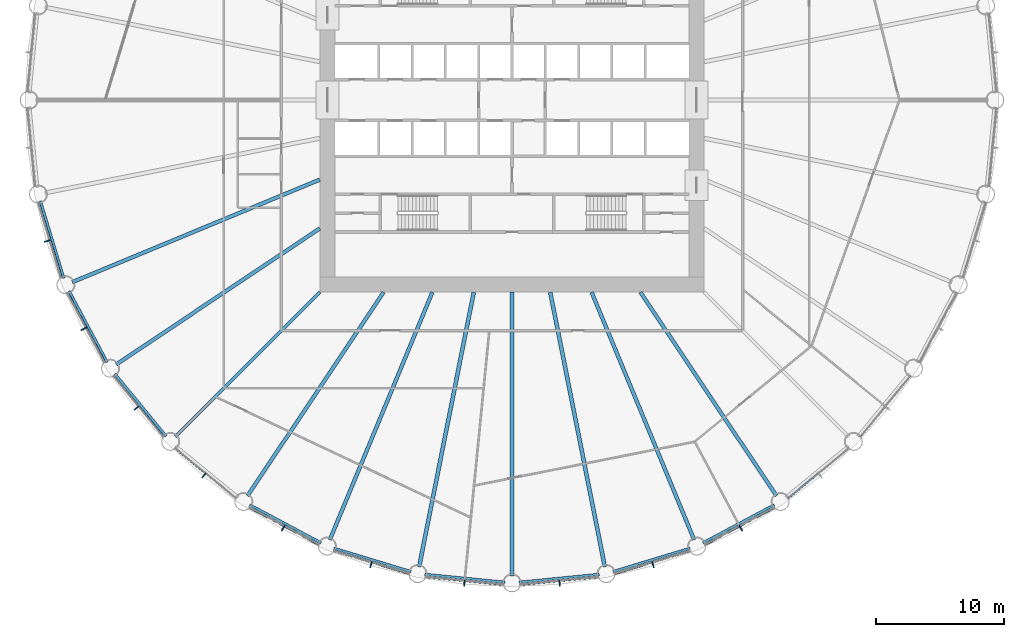
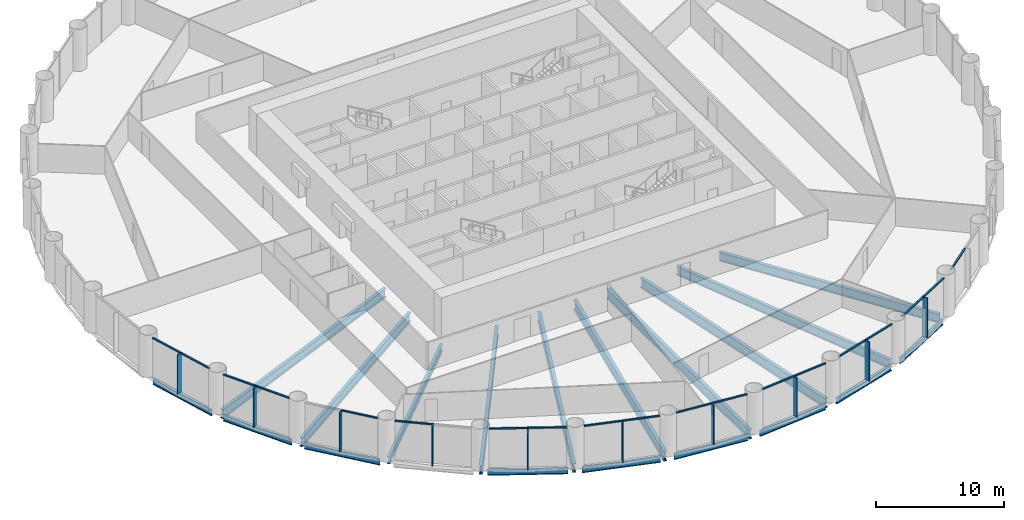
# One storey, part 2 of 14: 29 members, 19 beams, 11 elements without a shape of their own.
"""IFC4 building model written with IfcOpenShell, lengths in metres."""

from ifc_helpers import new_model, si_unit, direction, frame, origin, origin_2d, place, context, subcontext, project, spatial, rectangle, i_section, extrude, material, material_profile, profile_set, type_object, element, aggregate, save


model = new_model("IFC4")

# Units and contexts
model_context = context("Model", 3, precision=1e-05, world=origin(), true_north=direction((0.0, 1.0)))
body_context = subcontext(model_context, "Body", "Model", "MODEL_VIEW")
ifc_project = project(units=[si_unit("LENGTHUNIT", "METRE"), si_unit("AREAUNIT", "SQUARE_METRE"), si_unit("VOLUMEUNIT", "CUBIC_METRE"), si_unit("PLANEANGLEUNIT", "RADIAN"), si_unit("MASSUNIT", "GRAM", prefix="KILO")], contexts=[model_context])

# Site, building, storey
site_placement = place(None, origin())
site = spatial("IfcSite", under=ifc_project, at=site_placement, CompositionType="ELEMENT")
building_placement = place(site_placement, origin())
building = spatial("IfcBuilding", under=site, at=building_placement, Name="Corvane Civic Tower", CompositionType="ELEMENT")
storey_placement = place(building_placement, frame((0.0, 0.0, 81.0)))
storey = spatial("IfcBuildingStorey", under=building, at=storey_placement, Name="L18", CompositionType="ELEMENT", Elevation=81.0)

# Beams
ifc_material_1 = material(Name="Steel ASTM A992 Gr 50", Category="steel")
ifc_material_profile_1 = material_profile(ifc_material_1, i_section(OverallWidth=0.209228515625, OverallDepth=0.533447265625, WebThickness=0.01025390625, FlangeThickness=0.015625, at=origin_2d()), Name="W21X62")
ifc_profile_set_1 = profile_set([ifc_material_profile_1], Name="Steel ASTM A992 Gr 50")
beam_type_1 = type_object("IfcBeamType", Name="EDGE BEAM W21X62", PredefinedType="BEAM", material=ifc_profile_set_1)
for number, where, z_axis, x_axis, name in (
    (1, (20.4599609375, -31.605712890625, -0.566650390625), (-0.881916367906, -0.471405897311, 0.0), (0.471405897311, -0.881916367906, 0.0), "BM-L18-E14"),
    (2, (13.90087890625, -34.989990234375, -0.566650390625), (-0.956943740748, -0.290273452184, 0.0), (0.290273452184, -0.956943740748, 0.0), "BM-L18-E15"),
):
    element("IfcBeam", number, at=place(storey_placement, frame(where, z_axis=z_axis, x_axis=x_axis)), inside=storey, type_object=beam_type_1, Name=name, PredefinedType="BEAM", context=body_context, shape_type="SweptSolid", body=[
        extrude(i_section(OverallWidth=0.209228515625, OverallDepth=0.533447265625, WebThickness=0.01025390625, FlangeThickness=0.015625, at=origin_2d()), origin(), (0.0, 0.0, 1.0), 6.290283203125),
    ])
for number, where, z_axis, x_axis, name in (
    (3, (6.8076171875, -37.029541015625, -0.566650390625), (-0.995186682089, -0.097997284622, 0.0), (0.097997284622, -0.995186682089, 0.0), "BM-L18-E16"),
    (4, (-0.54736328125, -37.64599609375, -0.566650390625), (-0.995186682089, 0.097997284622, 0.0), (-0.097997284622, -0.995186682089, 0.0), "BM-L18-E17"),
):
    element("IfcBeam", number, at=place(storey_placement, frame(where, z_axis=z_axis, x_axis=x_axis)), inside=storey, type_object=beam_type_1, Name=name, PredefinedType="BEAM", context=body_context, shape_type="SweptSolid", body=[
        extrude(i_section(OverallWidth=0.209228515625, OverallDepth=0.533447265625, WebThickness=0.01025390625, FlangeThickness=0.015625, at=origin_2d()), origin(), (0.0, 0.0, 1.0), 6.29052734375),
    ])
for number, where, z_axis, x_axis, name in (
    (5, (-7.88134765625, -36.81591796875, -0.566650390625), (-0.956943740748, 0.290273452184, 0.0), (-0.290273452184, -0.956943740748, 0.0), "BM-L18-E18"),
    (6, (-14.912353515625, -34.571044921875, -0.566650390625), (-0.881916367906, 0.471405897311, 0.0), (-0.471405897311, -0.881916367906, 0.0), "BM-L18-E19"),
):
    element("IfcBeam", number, at=place(storey_placement, frame(where, z_axis=z_axis, x_axis=x_axis)), inside=storey, type_object=beam_type_1, Name=name, PredefinedType="BEAM", context=body_context, shape_type="SweptSolid", body=[
        extrude(i_section(OverallWidth=0.209228515625, OverallDepth=0.533447265625, WebThickness=0.01025390625, FlangeThickness=0.015625, at=origin_2d()), origin(), (0.0, 0.0, 1.0), 6.290283203125),
    ])
beam_1_placement = place(storey_placement, frame((-27.0068359375, -26.23291015625, -0.566650390625), z_axis=(-0.634386787141, 0.773015785286, 0.0), x_axis=(-0.773015785286, -0.634386787141, 0.0)))
element("IfcBeam", 7, at=beam_1_placement, inside=storey, type_object=beam_type_1, Name="BM-L18-E21", PredefinedType="BEAM", context=body_context, shape_type="SweptSolid", body=[
    extrude(i_section(OverallWidth=0.209228515625, OverallDepth=0.533447265625, WebThickness=0.01025390625, FlangeThickness=0.015625, at=origin_2d()), origin(), (0.0, 0.0, 1.0), 6.290771484375),
])
for number, where, z_axis, x_axis, name in (
    (8, (-31.605712890625, -20.4599609375, -0.566650390625), (-0.471405897311, 0.881916367906, 0.0), (-0.881916367906, -0.471405897311, 0.0), "BM-L18-E22"),
    (9, (-34.989990234375, -13.90087890625, -0.566650390625), (-0.290273452184, 0.956943740748, 0.0), (-0.956943740748, -0.290273452184, 0.0), "BM-L18-E23"),
):
    element("IfcBeam", number, at=place(storey_placement, frame(where, z_axis=z_axis, x_axis=x_axis)), inside=storey, type_object=beam_type_1, Name=name, PredefinedType="BEAM", context=body_context, shape_type="SweptSolid", body=[
        extrude(i_section(OverallWidth=0.209228515625, OverallDepth=0.533447265625, WebThickness=0.01025390625, FlangeThickness=0.015625, at=origin_2d()), origin(), (0.0, 0.0, 1.0), 6.290283203125),
    ])
ifc_material_2 = material(Name="Steel ASTM A992 Gr 50", Category="steel")
ifc_material_profile_2 = material_profile(ifc_material_2, i_section(OverallWidth=0.256591796875, OverallDepth=0.693359375, WebThickness=0.014404296875, FlangeThickness=0.023681640625, at=origin_2d()), Name="W27X114")
ifc_profile_set_2 = profile_set([ifc_material_profile_2], Name="Steel ASTM A992 Gr 50")
beam_type_2 = type_object("IfcBeamType", Name="FLOOR GIRDER W27X114", PredefinedType="BEAM", material=ifc_profile_set_2)
beam_2_placement = place(storey_placement, frame((-15.0, -15.0, -0.646728515625), z_axis=(-0.707106781187, -0.707106781187, 0.0), x_axis=(0.707106781187, -0.707106781187, 0.0)))
element("IfcBeam", 10, at=beam_2_placement, inside=storey, type_object=beam_type_2, Name="BM-L18-G21", PredefinedType="BEAM", context=body_context, shape_type="SweptSolid", body=[
    extrude(i_section(OverallWidth=0.256591796875, OverallDepth=0.693359375, WebThickness=0.014404296875, FlangeThickness=0.023681640625, at=origin_2d()), origin(), (0.0, 0.0, 1.0), 15.936767578125),
])
ifc_material_3 = material(Name="Steel ASTM A992 Gr 50", Category="steel")
ifc_material_profile_3 = material_profile(ifc_material_3, i_section(OverallWidth=0.2919921875, OverallDepth=0.8583984375, WebThickness=0.01708984375, FlangeThickness=0.031005859375, at=origin_2d()), Name="W33X169")
ifc_profile_set_3 = profile_set([ifc_material_profile_3], Name="Steel ASTM A992 Gr 50")
beam_type_3 = type_object("IfcBeamType", Name="FLOOR GIRDER W33X169", PredefinedType="BEAM", material=ifc_profile_set_3)
beam_3_placement = place(storey_placement, frame((10.022705078125, -15.0, -0.729248046875), z_axis=(0.555566681385, -0.831471985418, 0.0), x_axis=(0.831471985418, 0.555566681385, 0.0)))
element("IfcBeam", 11, at=beam_3_placement, inside=storey, type_object=beam_type_3, Name="BM-L18-G14", PredefinedType="BEAM", context=body_context, shape_type="SweptSolid", body=[
    extrude(i_section(OverallWidth=0.2919921875, OverallDepth=0.8583984375, WebThickness=0.01708984375, FlangeThickness=0.031005859375, at=origin_2d()), origin(), (0.0, 0.0, 1.0), 19.109619140625),
])
for number, where, z_axis, x_axis, name in (
    (12, (6.213134765625, -15.0, -0.729248046875), (0.382692360381, -0.923875834355, 0.0), (0.923875834355, 0.382692360381, 0.0), "BM-L18-G15"),
    (13, (-6.213134765625, -15.0, -0.729248046875), (-0.382692360381, -0.923875834355, 0.0), (0.923875834355, -0.382692360381, 0.0), "BM-L18-G19"),
):
    element("IfcBeam", number, at=place(storey_placement, frame(where, z_axis=z_axis, x_axis=x_axis)), inside=storey, type_object=beam_type_3, Name=name, PredefinedType="BEAM", context=body_context, shape_type="SweptSolid", body=[
        extrude(i_section(OverallWidth=0.2919921875, OverallDepth=0.8583984375, WebThickness=0.01708984375, FlangeThickness=0.031005859375, at=origin_2d()), origin(), (0.0, 0.0, 1.0), 20.9140625),
    ])
for number, where, z_axis, x_axis, name in (
    (14, (-10.022705078125, -15.0, -0.729248046875), (-0.555566681385, -0.831471985418, 0.0), (0.831471985418, -0.555566681385, 0.0), "BM-L18-G20"),
    (15, (-15.0, -10.022705078125, -0.729248046875), (-0.831471985418, -0.555566681385, 0.0), (0.555566681385, -0.831471985418, 0.0), "BM-L18-G22"),
):
    element("IfcBeam", number, at=place(storey_placement, frame(where, z_axis=z_axis, x_axis=x_axis)), inside=storey, type_object=beam_type_3, Name=name, PredefinedType="BEAM", context=body_context, shape_type="SweptSolid", body=[
        extrude(i_section(OverallWidth=0.2919921875, OverallDepth=0.8583984375, WebThickness=0.01708984375, FlangeThickness=0.031005859375, at=origin_2d()), origin(), (0.0, 0.0, 1.0), 19.109619140625),
    ])
beam_4_placement = place(storey_placement, frame((-15.0, -6.213134765625, -0.729248046875), z_axis=(-0.923875834355, -0.382692360381, 0.0), x_axis=(0.382692360381, -0.923875834355, 0.0)))
element("IfcBeam", 16, at=beam_4_placement, inside=storey, type_object=beam_type_3, Name="BM-L18-G23", PredefinedType="BEAM", context=body_context, shape_type="SweptSolid", body=[
    extrude(i_section(OverallWidth=0.2919921875, OverallDepth=0.8583984375, WebThickness=0.01708984375, FlangeThickness=0.031005859375, at=origin_2d()), origin(), (0.0, 0.0, 1.0), 20.9140625),
])
ifc_material_4 = material(Name="Steel ASTM A992 Gr 50", Category="steel")
ifc_material_profile_4 = material_profile(ifc_material_4, i_section(OverallWidth=0.307373046875, OverallDepth=0.927001953125, WebThickness=0.01953125, FlangeThickness=0.031982421875, at=origin_2d()), Name="W36X194")
ifc_profile_set_4 = profile_set([ifc_material_profile_4], Name="Steel ASTM A992 Gr 50")
beam_type_4 = type_object("IfcBeamType", Name="FLOOR GIRDER W36X194", PredefinedType="BEAM", material=ifc_profile_set_4)
beam_5_placement = place(storey_placement, frame((2.983642578125, -15.0, -0.763671875), z_axis=(0.195089219638, -0.980785499679, 0.0), x_axis=(0.980785499679, 0.195089219638, 0.0)))
element("IfcBeam", 17, at=beam_5_placement, inside=storey, type_object=beam_type_4, Name="BM-L18-G16", PredefinedType="BEAM", context=body_context, shape_type="SweptSolid", body=[
    extrude(i_section(OverallWidth=0.307373046875, OverallDepth=0.927001953125, WebThickness=0.01953125, FlangeThickness=0.031982421875, at=origin_2d()), origin(), (0.0, 0.0, 1.0), 21.856201171875),
])
beam_6_placement = place(storey_placement, frame((0.0, -15.0, -0.763671875), z_axis=(0.0, -1.0, 0.0), x_axis=(1.0, 0.0, 0.0)))
element("IfcBeam", 18, at=beam_6_placement, inside=storey, type_object=beam_type_4, Name="BM-L18-G17", PredefinedType="BEAM", context=body_context, shape_type="SweptSolid", body=[
    extrude(i_section(OverallWidth=0.307373046875, OverallDepth=0.927001953125, WebThickness=0.01953125, FlangeThickness=0.031982421875, at=origin_2d()), origin(), (0.0, 0.0, 1.0), 22.14990234375),
])
beam_7_placement = place(storey_placement, frame((-2.983642578125, -15.0, -0.763671875), z_axis=(-0.195089219638, -0.980785499679, 0.0), x_axis=(0.980785499679, -0.195089219638, 0.0)))
element("IfcBeam", 19, at=beam_7_placement, inside=storey, type_object=beam_type_4, Name="BM-L18-G18", PredefinedType="BEAM", context=body_context, shape_type="SweptSolid", body=[
    extrude(i_section(OverallWidth=0.307373046875, OverallDepth=0.927001953125, WebThickness=0.01953125, FlangeThickness=0.031982421875, at=origin_2d()), origin(), (0.0, 0.0, 1.0), 21.856201171875),
])

# Curtain wall, member
ifc_material_5 = material(Name="Anodised aluminium bronze", Category="aluminium")
curtain_wall_type = type_object("IfcCurtainWallType", Name="TOWER CW-T1 STICK CURTAIN WALL", PredefinedType="NOTDEFINED", material=ifc_material_5)
curtain_wall_1_placement = place(storey_placement, origin())
curtain_wall_1 = element("IfcCurtainWall", 20, at=curtain_wall_1_placement, inside=storey, type_object=curtain_wall_type, Name="Curtain wall CW-T1 L18 bay 13", PredefinedType="NOTDEFINED")
ifc_material_6 = material(Name="Anodised aluminium bronze", Category="aluminium")
ifc_material_profile_5 = material_profile(ifc_material_6, rectangle(XDim=0.139892578125, YDim=0.1201171875, at=origin_2d()), Name="TOWER CW-T1 TRANSOM 140x120")
ifc_profile_set_5 = profile_set([ifc_material_profile_5], Name="Anodised aluminium bronze")
member_type_1 = type_object("IfcMemberType", Name="TOWER CW-T1 TRANSOM 140x120", PredefinedType="USERDEFINED", material=ifc_profile_set_5)
member_1_placement = place(storey_placement, frame((23.88427734375, -29.166015625, 3.68994140625), z_axis=(-0.773041738279, -0.634355161466, 0.0), x_axis=(0.634355161466, -0.773041738279, 0.0)))
member_1 = element("IfcMember", 21, at=member_1_placement, type_object=member_type_1, Name="Transom CW-T1 L18 13.2", ObjectType="TRANSOM", PredefinedType="USERDEFINED", context=body_context, shape_type="SweptSolid", body=[
    extrude(rectangle(XDim=0.139892578125, YDim=0.1201171875, at=origin_2d()), origin(), (0.0, 0.0, 1.0), 3.008544921875),
])
aggregate(curtain_wall_1, [member_1])

# Curtain wall, members
curtain_wall_2_placement = place(storey_placement, origin())
curtain_wall_2 = element("IfcCurtainWall", 22, at=curtain_wall_2_placement, inside=storey, type_object=curtain_wall_type, Name="Curtain wall CW-T1 L18 bay 14", PredefinedType="NOTDEFINED")
member_2_placement = place(storey_placement, frame((20.459228515625, -31.809326171875, 3.68994140625), z_axis=(-0.881923525532, -0.471392506424, 0.0), x_axis=(0.471392506424, -0.881923525532, 0.0)))
member_2 = element("IfcMember", 23, at=member_2_placement, type_object=member_type_1, Name="Transom CW-T1 L18 14.1", ObjectType="TRANSOM", PredefinedType="USERDEFINED", context=body_context, shape_type="SweptSolid", body=[
    extrude(rectangle(XDim=0.139892578125, YDim=0.1201171875, at=origin_2d()), origin(), (0.0, 0.0, 1.0), 3.008544921875),
])
member_3_placement = place(storey_placement, frame((17.7353515625, -33.26513671875, 3.68994140625), z_axis=(-0.881923525532, -0.471392506424, 0.0), x_axis=(0.471392506424, -0.881923525532, 0.0)))
member_3 = element("IfcMember", 24, at=member_3_placement, type_object=member_type_1, Name="Transom CW-T1 L18 14.2", ObjectType="TRANSOM", PredefinedType="USERDEFINED", context=body_context, shape_type="SweptSolid", body=[
    extrude(rectangle(XDim=0.139892578125, YDim=0.1201171875, at=origin_2d()), origin(), (0.0, 0.0, 1.0), 3.008544921875),
])

curtain_wall_3_placement = place(storey_placement, origin())
curtain_wall_3 = element("IfcCurtainWall", 25, at=curtain_wall_3_placement, inside=storey, type_object=curtain_wall_type, Name="Curtain wall CW-T1 L18 bay 15", PredefinedType="NOTDEFINED")
member_4_placement = place(storey_placement, frame((13.8603515625, -35.189453125, 3.68994140625), z_axis=(-0.956941780555, -0.290279914268, 0.0), x_axis=(0.290279914268, -0.956941780555, 0.0)))
member_4 = element("IfcMember", 26, at=member_4_placement, type_object=member_type_1, Name="Transom CW-T1 L18 15.1", ObjectType="TRANSOM", PredefinedType="USERDEFINED", context=body_context, shape_type="SweptSolid", body=[
    extrude(rectangle(XDim=0.139892578125, YDim=0.1201171875, at=origin_2d()), origin(), (0.0, 0.0, 1.0), 3.008544921875),
])
member_5_placement = place(storey_placement, frame((10.90478515625, -36.0859375, 3.68994140625), z_axis=(-0.956941780555, -0.290279914268, 0.0), x_axis=(0.290279914268, -0.956941780555, 0.0)))
member_5 = element("IfcMember", 27, at=member_5_placement, type_object=member_type_1, Name="Transom CW-T1 L18 15.2", ObjectType="TRANSOM", PredefinedType="USERDEFINED", context=body_context, shape_type="SweptSolid", body=[
    extrude(rectangle(XDim=0.139892578125, YDim=0.1201171875, at=origin_2d()), origin(), (0.0, 0.0, 1.0), 3.008544921875),
])

curtain_wall_4_placement = place(storey_placement, origin())
curtain_wall_4 = element("IfcCurtainWall", 28, at=curtain_wall_4_placement, inside=storey, type_object=curtain_wall_type, Name="Curtain wall CW-T1 L18 bay 16", PredefinedType="NOTDEFINED")
member_6_placement = place(storey_placement, frame((6.72900390625, -37.21728515625, 3.68994140625), z_axis=(-0.995191836722, -0.097944923917, 0.0), x_axis=(0.097944923917, -0.995191836722, 0.0)))
member_6 = element("IfcMember", 29, at=member_6_placement, type_object=member_type_1, Name="Transom CW-T1 L18 16.1", ObjectType="TRANSOM", PredefinedType="USERDEFINED", context=body_context, shape_type="SweptSolid", body=[
    extrude(rectangle(XDim=0.139892578125, YDim=0.1201171875, at=origin_2d()), origin(), (0.0, 0.0, 1.0), 3.008544921875),
])
member_7_placement = place(storey_placement, frame((3.6552734375, -37.52001953125, 3.68994140625), z_axis=(-0.995191836722, -0.097944923917, 0.0), x_axis=(0.097944923917, -0.995191836722, 0.0)))
member_7 = element("IfcMember", 30, at=member_7_placement, type_object=member_type_1, Name="Transom CW-T1 L18 16.2", ObjectType="TRANSOM", PredefinedType="USERDEFINED", context=body_context, shape_type="SweptSolid", body=[
    extrude(rectangle(XDim=0.139892578125, YDim=0.1201171875, at=origin_2d()), origin(), (0.0, 0.0, 1.0), 3.008544921875),
])

curtain_wall_5_placement = place(storey_placement, origin())
curtain_wall_5 = element("IfcCurtainWall", 31, at=curtain_wall_5_placement, inside=storey, type_object=curtain_wall_type, Name="Curtain wall CW-T1 L18 bay 17", PredefinedType="NOTDEFINED")
member_8_placement = place(storey_placement, frame((-0.6611328125, -37.814697265625, 3.68994140625), z_axis=(-0.995191836722, 0.097944923917, 0.0), x_axis=(-0.097944923917, -0.995191836722, 0.0)))
member_8 = element("IfcMember", 32, at=member_8_placement, type_object=member_type_1, Name="Transom CW-T1 L18 17.1", ObjectType="TRANSOM", PredefinedType="USERDEFINED", context=body_context, shape_type="SweptSolid", body=[
    extrude(rectangle(XDim=0.139892578125, YDim=0.1201171875, at=origin_2d()), origin(), (0.0, 0.0, 1.0), 3.008544921875),
])
member_9_placement = place(storey_placement, frame((-3.73486328125, -37.511962890625, 3.68994140625), z_axis=(-0.995191836722, 0.097944923917, 0.0), x_axis=(-0.097944923917, -0.995191836722, 0.0)))
member_9 = element("IfcMember", 33, at=member_9_placement, type_object=member_type_1, Name="Transom CW-T1 L18 17.2", ObjectType="TRANSOM", PredefinedType="USERDEFINED", context=body_context, shape_type="SweptSolid", body=[
    extrude(rectangle(XDim=0.139892578125, YDim=0.1201171875, at=origin_2d()), origin(), (0.0, 0.0, 1.0), 3.008544921875),
])

curtain_wall_6_placement = place(storey_placement, origin())
curtain_wall_6 = element("IfcCurtainWall", 34, at=curtain_wall_6_placement, inside=storey, type_object=curtain_wall_type, Name="Curtain wall CW-T1 L18 bay 18", PredefinedType="NOTDEFINED")
member_10_placement = place(storey_placement, frame((-8.02587890625, -36.959228515625, 3.68994140625), z_axis=(-0.956941780555, 0.290279914268, 0.0), x_axis=(-0.290279914268, -0.956941780555, 0.0)))
member_10 = element("IfcMember", 35, at=member_10_placement, type_object=member_type_1, Name="Transom CW-T1 L18 18.1", ObjectType="TRANSOM", PredefinedType="USERDEFINED", context=body_context, shape_type="SweptSolid", body=[
    extrude(rectangle(XDim=0.139892578125, YDim=0.1201171875, at=origin_2d()), origin(), (0.0, 0.0, 1.0), 3.008544921875),
])
member_11_placement = place(storey_placement, frame((-10.9814453125, -36.062744140625, 3.68994140625), z_axis=(-0.956941780555, 0.290279914268, 0.0), x_axis=(-0.290279914268, -0.956941780555, 0.0)))
member_11 = element("IfcMember", 36, at=member_11_placement, type_object=member_type_1, Name="Transom CW-T1 L18 18.2", ObjectType="TRANSOM", PredefinedType="USERDEFINED", context=body_context, shape_type="SweptSolid", body=[
    extrude(rectangle(XDim=0.139892578125, YDim=0.1201171875, at=origin_2d()), origin(), (0.0, 0.0, 1.0), 3.008544921875),
])

curtain_wall_7_placement = place(storey_placement, origin())
curtain_wall_7 = element("IfcCurtainWall", 37, at=curtain_wall_7_placement, inside=storey, type_object=curtain_wall_type, Name="Curtain wall CW-T1 L18 bay 19", PredefinedType="NOTDEFINED")
member_12_placement = place(storey_placement, frame((-15.08203125, -34.683349609375, 3.68994140625), z_axis=(-0.881923525532, 0.471392506424, 0.0), x_axis=(-0.471392506424, -0.881923525532, 0.0)))
member_12 = element("IfcMember", 38, at=member_12_placement, type_object=member_type_1, Name="Transom CW-T1 L18 19.1", ObjectType="TRANSOM", PredefinedType="USERDEFINED", context=body_context, shape_type="SweptSolid", body=[
    extrude(rectangle(XDim=0.139892578125, YDim=0.1201171875, at=origin_2d()), origin(), (0.0, 0.0, 1.0), 3.008544921875),
])
member_13_placement = place(storey_placement, frame((-17.805908203125, -33.2275390625, 3.68994140625), z_axis=(-0.881923525532, 0.471392506424, 0.0), x_axis=(-0.471392506424, -0.881923525532, 0.0)))
member_13 = element("IfcMember", 39, at=member_13_placement, type_object=member_type_1, Name="Transom CW-T1 L18 19.2", ObjectType="TRANSOM", PredefinedType="USERDEFINED", context=body_context, shape_type="SweptSolid", body=[
    extrude(rectangle(XDim=0.139892578125, YDim=0.1201171875, at=origin_2d()), origin(), (0.0, 0.0, 1.0), 3.008544921875),
])

# Curtain wall, member
curtain_wall_8_placement = place(storey_placement, origin())
curtain_wall_8 = element("IfcCurtainWall", 40, at=curtain_wall_8_placement, inside=storey, type_object=curtain_wall_type, Name="Curtain wall CW-T1 L18 bay 20", PredefinedType="NOTDEFINED")
member_14_placement = place(storey_placement, frame((-23.946044921875, -29.115234375, 3.68994140625), z_axis=(-0.773001943873, 0.634403652865, 0.0), x_axis=(-0.634403652865, -0.773001943873, 0.0)))
member_14 = element("IfcMember", 41, at=member_14_placement, type_object=member_type_1, Name="Transom CW-T1 L18 20.2", ObjectType="TRANSOM", PredefinedType="USERDEFINED", context=body_context, shape_type="SweptSolid", body=[
    extrude(rectangle(XDim=0.139892578125, YDim=0.1201171875, at=origin_2d()), origin(), (0.0, 0.0, 1.0), 3.008544921875),
])

curtain_wall_9_placement = place(storey_placement, origin())
curtain_wall_9 = element("IfcCurtainWall", 42, at=curtain_wall_9_placement, inside=storey, type_object=curtain_wall_type, Name="Curtain wall CW-T1 L18 bay 21", PredefinedType="NOTDEFINED")
member_15_placement = place(storey_placement, frame((-27.20654296875, -26.271728515625, 3.68994140625), z_axis=(-0.634403652865, 0.773001943873, 0.0), x_axis=(-0.773001943873, -0.634403652865, 0.0)))
member_15 = element("IfcMember", 43, at=member_15_placement, type_object=member_type_1, Name="Transom CW-T1 L18 21.1", ObjectType="TRANSOM", PredefinedType="USERDEFINED", context=body_context, shape_type="SweptSolid", body=[
    extrude(rectangle(XDim=0.139892578125, YDim=0.1201171875, at=origin_2d()), origin(), (0.0, 0.0, 1.0), 3.008544921875),
])

# Curtain wall, members
curtain_wall_10_placement = place(storey_placement, origin())
curtain_wall_10 = element("IfcCurtainWall", 44, at=curtain_wall_10_placement, inside=storey, type_object=curtain_wall_type, Name="Curtain wall CW-T1 L18 bay 22", PredefinedType="NOTDEFINED")
member_16_placement = place(storey_placement, frame((-31.809326171875, -20.459228515625, 3.68994140625), z_axis=(-0.471392506424, 0.881923525532, 0.0), x_axis=(-0.881923525532, -0.471392506424, 0.0)))
member_16 = element("IfcMember", 45, at=member_16_placement, type_object=member_type_1, Name="Transom CW-T1 L18 22.1", ObjectType="TRANSOM", PredefinedType="USERDEFINED", context=body_context, shape_type="SweptSolid", body=[
    extrude(rectangle(XDim=0.139892578125, YDim=0.1201171875, at=origin_2d()), origin(), (0.0, 0.0, 1.0), 3.008544921875),
])
member_17_placement = place(storey_placement, frame((-33.26513671875, -17.7353515625, 3.68994140625), z_axis=(-0.471392506424, 0.881923525532, 0.0), x_axis=(-0.881923525532, -0.471392506424, 0.0)))
member_17 = element("IfcMember", 46, at=member_17_placement, type_object=member_type_1, Name="Transom CW-T1 L18 22.2", ObjectType="TRANSOM", PredefinedType="USERDEFINED", context=body_context, shape_type="SweptSolid", body=[
    extrude(rectangle(XDim=0.139892578125, YDim=0.1201171875, at=origin_2d()), origin(), (0.0, 0.0, 1.0), 3.008544921875),
])

curtain_wall_11_placement = place(storey_placement, origin())
curtain_wall_11 = element("IfcCurtainWall", 47, at=curtain_wall_11_placement, inside=storey, type_object=curtain_wall_type, Name="Curtain wall CW-T1 L18 bay 23", PredefinedType="NOTDEFINED")
member_18_placement = place(storey_placement, frame((-35.189453125, -13.8603515625, 3.68994140625), z_axis=(-0.290279914268, 0.956941780555, 0.0), x_axis=(-0.956941780555, -0.290279914268, 0.0)))
member_18 = element("IfcMember", 48, at=member_18_placement, type_object=member_type_1, Name="Transom CW-T1 L18 23.1", ObjectType="TRANSOM", PredefinedType="USERDEFINED", context=body_context, shape_type="SweptSolid", body=[
    extrude(rectangle(XDim=0.139892578125, YDim=0.1201171875, at=origin_2d()), origin(), (0.0, 0.0, 1.0), 3.008544921875),
])
member_19_placement = place(storey_placement, frame((-36.0859375, -10.90478515625, 3.68994140625), z_axis=(-0.290279914268, 0.956941780555, 0.0), x_axis=(-0.956941780555, -0.290279914268, 0.0)))
member_19 = element("IfcMember", 49, at=member_19_placement, type_object=member_type_1, Name="Transom CW-T1 L18 23.2", ObjectType="TRANSOM", PredefinedType="USERDEFINED", context=body_context, shape_type="SweptSolid", body=[
    extrude(rectangle(XDim=0.139892578125, YDim=0.1201171875, at=origin_2d()), origin(), (0.0, 0.0, 1.0), 3.008544921875),
])

# Member
ifc_material_7 = material(Name="Anodised aluminium bronze", Category="aluminium")
ifc_material_profile_6 = material_profile(ifc_material_7, rectangle(XDim=0.080078125, YDim=0.5, at=origin_2d()), Name="TOWER FIN MULLION 80x500 BRONZE")
ifc_profile_set_6 = profile_set([ifc_material_profile_6], Name="Anodised aluminium bronze")
member_type_2 = type_object("IfcMemberType", Name="TOWER FIN MULLION 80x500 BRONZE", PredefinedType="MULLION", material=ifc_profile_set_6)
member_20_placement = place(storey_placement, frame((17.86474609375, -33.422607421875, 0.0), z_axis=(0.0, 0.0, 1.0), x_axis=(-0.881917528864, -0.471403725359, 0.0)))
member_20 = element("IfcMember", 50, at=member_20_placement, type_object=member_type_2, Name="Fin mullion 14 L18", PredefinedType="MULLION", context=body_context, shape_type="SweptSolid", body=[
    extrude(rectangle(XDim=0.080078125, YDim=0.5, at=origin_2d()), origin(), (0.0, 0.0, 1.0), 3.75),
])

aggregate(curtain_wall_2, [member_20, member_2, member_3])

member_21_placement = place(storey_placement, frame((11.001220703125, -36.265625, 0.0), z_axis=(0.0, 0.0, 1.0), x_axis=(-0.956942240606, -0.290278397654, 0.0)))
member_21 = element("IfcMember", 51, at=member_21_placement, type_object=member_type_2, Name="Fin mullion 15 L18", PredefinedType="MULLION", context=body_context, shape_type="SweptSolid", body=[
    extrude(rectangle(XDim=0.080078125, YDim=0.5, at=origin_2d()), origin(), (0.0, 0.0, 1.0), 3.75),
])

aggregate(curtain_wall_3, [member_21, member_4, member_5])

member_22_placement = place(storey_placement, frame((3.714599609375, -37.715087890625, 0.0), z_axis=(0.0, 0.0, 1.0), x_axis=(-0.995185800248, -0.098006239521, 0.0)))
member_22 = element("IfcMember", 52, at=member_22_placement, type_object=member_type_2, Name="Fin mullion 16 L18", PredefinedType="MULLION", context=body_context, shape_type="SweptSolid", body=[
    extrude(rectangle(XDim=0.080078125, YDim=0.5, at=origin_2d()), origin(), (0.0, 0.0, 1.0), 3.75),
])

aggregate(curtain_wall_4, [member_22, member_6, member_7])

member_23_placement = place(storey_placement, frame((-3.714599609375, -37.715087890625, 0.0), z_axis=(0.0, 0.0, 1.0), x_axis=(-0.995185800248, 0.098006239521, 0.0)))
member_23 = element("IfcMember", 53, at=member_23_placement, type_object=member_type_2, Name="Fin mullion 17 L18", PredefinedType="MULLION", context=body_context, shape_type="SweptSolid", body=[
    extrude(rectangle(XDim=0.080078125, YDim=0.5, at=origin_2d()), origin(), (0.0, 0.0, 1.0), 3.75),
])

aggregate(curtain_wall_5, [member_23, member_8, member_9])

member_24_placement = place(storey_placement, frame((-11.001220703125, -36.265625, 0.0), z_axis=(0.0, 0.0, 1.0), x_axis=(-0.956942240606, 0.290278397654, 0.0)))
member_24 = element("IfcMember", 54, at=member_24_placement, type_object=member_type_2, Name="Fin mullion 18 L18", PredefinedType="MULLION", context=body_context, shape_type="SweptSolid", body=[
    extrude(rectangle(XDim=0.080078125, YDim=0.5, at=origin_2d()), origin(), (0.0, 0.0, 1.0), 3.75),
])

aggregate(curtain_wall_6, [member_24, member_10, member_11])

member_25_placement = place(storey_placement, frame((-17.86474609375, -33.422607421875, 0.0), z_axis=(0.0, 0.0, 1.0), x_axis=(-0.881917528864, 0.471403725359, 0.0)))
member_25 = element("IfcMember", 55, at=member_25_placement, type_object=member_type_2, Name="Fin mullion 19 L18", PredefinedType="MULLION", context=body_context, shape_type="SweptSolid", body=[
    extrude(rectangle(XDim=0.080078125, YDim=0.5, at=origin_2d()), origin(), (0.0, 0.0, 1.0), 3.75),
])

aggregate(curtain_wall_7, [member_25, member_12, member_13])

member_26_placement = place(storey_placement, frame((-24.0419921875, -29.295166015625, 0.0), z_axis=(0.0, 0.0, 1.0), x_axis=(-0.773007224463, 0.634397218569, 0.0)))
member_26 = element("IfcMember", 56, at=member_26_placement, type_object=member_type_2, Name="Fin mullion 20 L18", PredefinedType="MULLION", context=body_context, shape_type="SweptSolid", body=[
    extrude(rectangle(XDim=0.080078125, YDim=0.5, at=origin_2d()), origin(), (0.0, 0.0, 1.0), 3.75),
])

aggregate(curtain_wall_8, [member_26, member_14])

member_27_placement = place(storey_placement, frame((-29.295166015625, -24.0419921875, 0.0), z_axis=(0.0, 0.0, 1.0), x_axis=(-0.634397218569, 0.773007224463, 0.0)))
member_27 = element("IfcMember", 57, at=member_27_placement, type_object=member_type_2, Name="Fin mullion 21 L18", PredefinedType="MULLION", context=body_context, shape_type="SweptSolid", body=[
    extrude(rectangle(XDim=0.080078125, YDim=0.5, at=origin_2d()), origin(), (0.0, 0.0, 1.0), 3.75),
])

aggregate(curtain_wall_9, [member_27, member_15])

member_28_placement = place(storey_placement, frame((-33.422607421875, -17.86474609375, 0.0), z_axis=(0.0, 0.0, 1.0), x_axis=(-0.471403725359, 0.881917528864, 0.0)))
member_28 = element("IfcMember", 58, at=member_28_placement, type_object=member_type_2, Name="Fin mullion 22 L18", PredefinedType="MULLION", context=body_context, shape_type="SweptSolid", body=[
    extrude(rectangle(XDim=0.080078125, YDim=0.5, at=origin_2d()), origin(), (0.0, 0.0, 1.0), 3.75),
])

aggregate(curtain_wall_10, [member_28, member_16, member_17])

member_29_placement = place(storey_placement, frame((-36.265625, -11.001220703125, 0.0), z_axis=(0.0, 0.0, 1.0), x_axis=(-0.290278397654, 0.956942240606, 0.0)))
member_29 = element("IfcMember", 59, at=member_29_placement, type_object=member_type_2, Name="Fin mullion 23 L18", PredefinedType="MULLION", context=body_context, shape_type="SweptSolid", body=[
    extrude(rectangle(XDim=0.080078125, YDim=0.5, at=origin_2d()), origin(), (0.0, 0.0, 1.0), 3.75),
])

aggregate(curtain_wall_11, [member_29, member_18, member_19])

save(model, "model.ifc")
